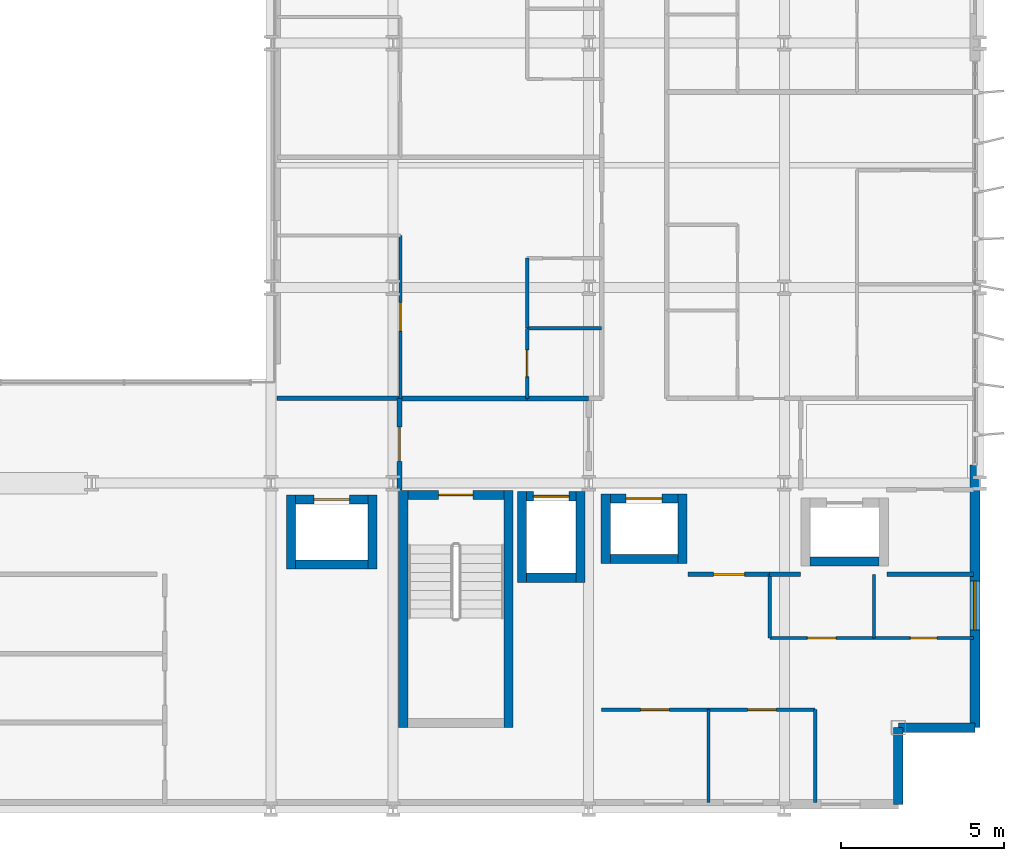
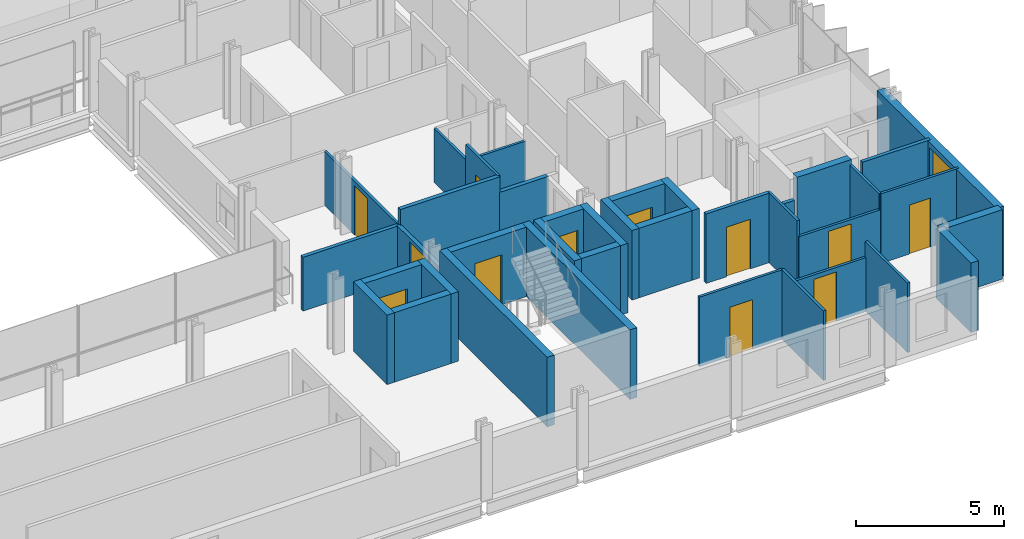
# One storey, part 30 of 38: 38 walls, 12 doors, 1 window, 13 openings.
"""IFC4 building model written with IfcOpenShell, lengths in metres."""

from ifc_helpers import new_model, si_unit, direction, frame, frame_2d, origin, place, context, subcontext, project, spatial, rectangle, extrude, material, layer, layer_set, type_object, element, fill, save


model = new_model("IFC4")

# Units and contexts
model_context = context("Model", 3, precision=1e-05, world=origin(), true_north=direction((0.0, 1.0)))
body_context = subcontext(model_context, "Body", "Model", "MODEL_VIEW")
ifc_project = project(units=[si_unit("LENGTHUNIT", "METRE"), si_unit("AREAUNIT", "SQUARE_METRE"), si_unit("VOLUMEUNIT", "CUBIC_METRE"), si_unit("PLANEANGLEUNIT", "RADIAN"), si_unit("MASSUNIT", "GRAM", prefix="KILO")], contexts=[model_context])

# Site, building, storey
site_placement = place(None, origin())
site = spatial("IfcSite", under=ifc_project, at=site_placement, CompositionType="ELEMENT")
building_placement = place(site_placement, origin())
building = spatial("IfcBuilding", under=site, at=building_placement, Name="Brevholm Reach", CompositionType="ELEMENT")
storey_placement = place(building_placement, frame((0.0, 0.0, 59.0)))
storey = spatial("IfcBuildingStorey", under=building, at=storey_placement, Name="L16", CompositionType="ELEMENT", Elevation=59.0)

# Walls
ifc_material_1 = material(Name="Concrete C50/60", Category="concrete")
ifc_layer_1 = layer(ifc_material_1, 0.280029296875)
ifc_layer_set_1 = layer_set([ifc_layer_1], Name="Concrete C50/60")
wall_type_1 = type_object("IfcWallType", Name="WAL-COR-280", PredefinedType="SHEAR", material=ifc_layer_set_1)
for number, where, z_axis, x_axis, name in (
    (1, (42.31005859375, 2.5, 0.0), (0.0, 0.0, 1.0), (0.0, 1.0, 0.0), "L16 Escape Stair ST-2 Core Wall W"),
    (2, (45.5400390625, 2.5, 0.0), (0.0, 0.0, 1.0), (0.0, 1.0, 0.0), "L16 Escape Stair ST-2 Core Wall E"),
):
    element("IfcWall", number, at=place(storey_placement, frame(where, z_axis=z_axis, x_axis=x_axis)), inside=storey, type_object=wall_type_1, Name=name, PredefinedType="SHEAR", context=body_context, shape_type="SweptSolid", body=[
        extrude(rectangle(XDim=7.280029296875, YDim=0.280029296875, at=frame_2d((3.64013671875, 0.0))), origin(), (0.0, 0.0, 1.0), 2.8701171875),
    ])

# Wall, opening, door
wall_1_placement = place(storey_placement, frame((45.39990234375, 9.639892578125, 0.0), z_axis=(0.0, 0.0, 1.0), x_axis=(-1.0, 0.0, 0.0)))
wall_1 = element("IfcWall", 3, at=wall_1_placement, inside=storey, type_object=wall_type_1, Name="L16 Escape Stair ST-2 Core Wall N", PredefinedType="SHEAR", context=body_context, shape_type="SweptSolid", body=[
    extrude(rectangle(XDim=2.949951171875, YDim=0.280029296875, at=frame_2d((1.47509765625, 0.0))), origin(), (0.0, 0.0, 1.0), 2.8701171875),
])
opening_1_placement = place(wall_1_placement, frame((0.949951171875, 0.0, 0.0)))
opening_1 = element("IfcOpeningElement", 4, at=opening_1_placement, cuts=wall_1, Name="Opening SD-ST-2", PredefinedType="OPENING", context=body_context, shape_type="SweptSolid", body=[
    extrude(rectangle(XDim=1.050048828125, YDim=2.06005859375, at=frame_2d((0.52490234375, 1.030029296875))), frame((0.0, 0.14990234375, 0.0), z_axis=(0.0, -1.0, 0.0), x_axis=(1.0, 0.0, 0.0)), (0.0, 0.0, 1.0), 0.300048828125),
])
ifc_material_2 = material(Name="Hardwood-Lipped Steel-Core Fire and Smoke Door", Category="steel")
door_type_1 = type_object("IfcDoorType", Name="DOR-INT-FD60S", OperationType="NOTDEFINED", PredefinedType="DOOR", material=ifc_material_2)
door_1_placement = place(opening_1_placement, origin())
door_1 = element("IfcDoor", 5, at=door_1_placement, inside=storey, type_object=door_type_1, Name="L16 Protected Stair ST-2 Lobby Door", OperationType="SINGLE_SWING_LEFT", OverallHeight=2.06005859375, OverallWidth=1.050048828125, PredefinedType="DOOR", context=body_context, shape_type="SweptSolid", body=[
    extrude(rectangle(XDim=1.050048828125, YDim=2.06005859375, at=frame_2d((0.52490234375, 1.030029296875))), frame((0.0, 0.02490234375, 0.0), z_axis=(0.0, -1.0, 0.0), x_axis=(1.0, 0.0, 0.0)), (0.0, 0.0, 1.0), 0.050048828125),
])
fill(opening_1, door_1)

# Walls
for number, where, z_axis, x_axis, name in (
    (6, (45.949951171875, 6.9599609375, 0.0), (0.0, 0.0, 1.0), (0.0, 1.0, 0.0), "L16 Lift FFL-2 Shaft Wall W"),
    (7, (47.75, 6.9599609375, 0.0), (0.0, 0.0, 1.0), (0.0, 1.0, 0.0), "L16 Lift FFL-2 Shaft Wall E"),
):
    element("IfcWall", number, at=place(storey_placement, frame(where, z_axis=z_axis, x_axis=x_axis)), inside=storey, type_object=wall_type_1, Name=name, PredefinedType="SHEAR", context=body_context, shape_type="SweptSolid", body=[
        extrude(rectangle(XDim=2.780029296875, YDim=0.280029296875, at=frame_2d((1.39013671875, 0.0))), origin(), (0.0, 0.0, 1.0), 2.8701171875),
    ])
wall_2_placement = place(storey_placement, frame((46.090087890625, 7.10009765625, 0.0), z_axis=(0.0, 0.0, 1.0), x_axis=(1.0, 0.0, 0.0)))
element("IfcWall", 8, at=wall_2_placement, inside=storey, type_object=wall_type_1, Name="L16 Lift FFL-2 Shaft Wall S", PredefinedType="SHEAR", context=body_context, shape_type="SweptSolid", body=[
    extrude(rectangle(XDim=1.52001953125, YDim=0.280029296875, at=frame_2d((0.760009765625, 0.0))), origin(), (0.0, 0.0, 1.0), 2.8701171875),
])

# Wall, opening, door
wall_3_placement = place(storey_placement, frame((46.090087890625, 9.60009765625, 0.0), z_axis=(0.0, 0.0, 1.0), x_axis=(1.0, 0.0, 0.0)))
wall_3 = element("IfcWall", 9, at=wall_3_placement, inside=storey, type_object=wall_type_1, Name="L16 Lift FFL-2 Shaft Wall N", PredefinedType="SHEAR", context=body_context, shape_type="SweptSolid", body=[
    extrude(rectangle(XDim=1.52001953125, YDim=0.280029296875, at=frame_2d((0.760009765625, 0.0))), origin(), (0.0, 0.0, 1.0), 2.8701171875),
])
opening_2_placement = place(wall_3_placement, frame((0.2099609375, 0.0, 0.0)))
opening_2 = element("IfcOpeningElement", 10, at=opening_2_placement, cuts=wall_3, Name="Opening LD-FFL-2", PredefinedType="OPENING", context=body_context, shape_type="SweptSolid", body=[
    extrude(rectangle(XDim=1.10009765625, YDim=2.06005859375, at=frame_2d((0.550048828125, 1.030029296875))), frame((0.0, 0.14990234375, 0.0), z_axis=(0.0, -1.0, 0.0), x_axis=(1.0, 0.0, 0.0)), (0.0, 0.0, 1.0), 0.300048828125),
])
ifc_material_3 = material(Name="Brushed Stainless Steel Fire-Rated Sliding Lift Door", Category="steel")
door_type_2 = type_object("IfcDoorType", Name="DOR-LFT-1100", OperationType="NOTDEFINED", PredefinedType="DOOR", material=ifc_material_3)
door_2_placement = place(opening_2_placement, origin())
door_2 = element("IfcDoor", 11, at=door_2_placement, inside=storey, type_object=door_type_2, Name="L16 Lift FFL-2 Sliding Landing Door", OperationType="SLIDING_TO_LEFT", OverallHeight=2.06005859375, OverallWidth=1.10009765625, PredefinedType="DOOR", context=body_context, shape_type="SweptSolid", body=[
    extrude(rectangle(XDim=1.10009765625, YDim=2.06005859375, at=frame_2d((0.550048828125, 1.030029296875))), frame((0.0, 0.02490234375, 0.0), z_axis=(0.0, -1.0, 0.0), x_axis=(1.0, 0.0, 0.0)), (0.0, 0.0, 1.0), 0.050048828125),
])
fill(opening_2, door_2)

# Walls
for number, where, z_axis, x_axis, name in (
    (12, (48.52490234375, 7.534912109375, 0.0), (0.0, 0.0, 1.0), (0.0, 1.0, 0.0), "L16 Lift PL-L1 Shaft Wall W"),
    (13, (50.875, 7.534912109375, 0.0), (0.0, 0.0, 1.0), (0.0, 1.0, 0.0), "L16 Lift PL-L1 Shaft Wall E"),
):
    element("IfcWall", number, at=place(storey_placement, frame(where, z_axis=z_axis, x_axis=x_axis)), inside=storey, type_object=wall_type_1, Name=name, PredefinedType="SHEAR", context=body_context, shape_type="SweptSolid", body=[
        extrude(rectangle(XDim=2.130126953125, YDim=0.280029296875, at=frame_2d((1.06494140625, 0.0))), origin(), (0.0, 0.0, 1.0), 2.8701171875),
    ])
wall_4_placement = place(storey_placement, frame((48.6650390625, 7.675048828125, 0.0), z_axis=(0.0, 0.0, 1.0), x_axis=(1.0, 0.0, 0.0)))
element("IfcWall", 14, at=wall_4_placement, inside=storey, type_object=wall_type_1, Name="L16 Lift PL-L1 Shaft Wall S", PredefinedType="SHEAR", context=body_context, shape_type="SweptSolid", body=[
    extrude(rectangle(XDim=2.070068359375, YDim=0.280029296875, at=frame_2d((1.03515625, 0.0))), origin(), (0.0, 0.0, 1.0), 2.8701171875),
])

# Wall, opening, door
wall_5_placement = place(storey_placement, frame((48.6650390625, 9.52490234375, 0.0), z_axis=(0.0, 0.0, 1.0), x_axis=(1.0, 0.0, 0.0)))
wall_5 = element("IfcWall", 15, at=wall_5_placement, inside=storey, type_object=wall_type_1, Name="L16 Lift PL-L1 Shaft Wall N", PredefinedType="SHEAR", context=body_context, shape_type="SweptSolid", body=[
    extrude(rectangle(XDim=2.070068359375, YDim=0.280029296875, at=frame_2d((1.03515625, 0.0))), origin(), (0.0, 0.0, 1.0), 2.8701171875),
])
opening_3_placement = place(wall_5_placement, frame((0.485107421875, 0.0, 0.0)))
opening_3 = element("IfcOpeningElement", 16, at=opening_3_placement, cuts=wall_5, Name="Opening LD-PL-L1", PredefinedType="OPENING", context=body_context, shape_type="SweptSolid", body=[
    extrude(rectangle(XDim=1.10009765625, YDim=2.06005859375, at=frame_2d((0.550048828125, 1.030029296875))), frame((0.0, 0.14990234375, 0.0), z_axis=(0.0, -1.0, 0.0), x_axis=(1.0, 0.0, 0.0)), (0.0, 0.0, 1.0), 0.300048828125),
])
door_3_placement = place(opening_3_placement, origin())
door_3 = element("IfcDoor", 17, at=door_3_placement, inside=storey, type_object=door_type_2, Name="L16 Lift PL-L1 Sliding Landing Door", OperationType="SLIDING_TO_RIGHT", OverallHeight=2.06005859375, OverallWidth=1.10009765625, PredefinedType="DOOR", context=body_context, shape_type="SweptSolid", body=[
    extrude(rectangle(XDim=1.10009765625, YDim=2.06005859375, at=frame_2d((0.550048828125, 1.030029296875))), frame((0.0, 0.02490234375, 0.0), z_axis=(0.0, -1.0, 0.0), x_axis=(1.0, 0.0, 0.0)), (0.0, 0.0, 1.0), 0.050048828125),
])
fill(opening_3, door_3)

# Walls
wall_6_placement = place(storey_placement, frame((54.7900390625, 7.60009765625, 0.0), z_axis=(0.0, 0.0, 1.0), x_axis=(1.0, 0.0, 0.0)))
element("IfcWall", 18, at=wall_6_placement, inside=storey, type_object=wall_type_1, Name="L16 Lift PL-L2 Shaft Wall S", PredefinedType="SHEAR", context=body_context, shape_type="SweptSolid", body=[
    extrude(rectangle(XDim=2.119873046875, YDim=0.280029296875, at=frame_2d((1.06005859375, 0.0))), origin(), (0.0, 0.0, 1.0), 2.8701171875),
])
for number, where, z_axis, x_axis, name in (
    (19, (38.8701171875, 7.360107421875, 0.0), (0.0, 0.0, 1.0), (0.0, 1.0, 0.0), "L16 Lift PL-S1 Shaft Wall W"),
    (20, (41.3701171875, 7.360107421875, 0.0), (0.0, 0.0, 1.0), (0.0, 1.0, 0.0), "L16 Lift PL-S1 Shaft Wall E"),
):
    element("IfcWall", number, at=place(storey_placement, frame(where, z_axis=z_axis, x_axis=x_axis)), inside=storey, type_object=wall_type_1, Name=name, PredefinedType="SHEAR", context=body_context, shape_type="SweptSolid", body=[
        extrude(rectangle(XDim=2.27978515625, YDim=0.280029296875, at=frame_2d((1.139892578125, 0.0))), origin(), (0.0, 0.0, 1.0), 2.8701171875),
    ])
wall_7_placement = place(storey_placement, frame((39.010009765625, 7.5, 0.0), z_axis=(0.0, 0.0, 1.0), x_axis=(1.0, 0.0, 0.0)))
element("IfcWall", 21, at=wall_7_placement, inside=storey, type_object=wall_type_1, Name="L16 Lift PL-S1 Shaft Wall S", PredefinedType="SHEAR", context=body_context, shape_type="SweptSolid", body=[
    extrude(rectangle(XDim=2.219970703125, YDim=0.280029296875, at=frame_2d((1.10986328125, 0.0))), origin(), (0.0, 0.0, 1.0), 2.8701171875),
])

# Wall, opening, door
wall_8_placement = place(storey_placement, frame((39.010009765625, 9.5, 0.0), z_axis=(0.0, 0.0, 1.0), x_axis=(1.0, 0.0, 0.0)))
wall_8 = element("IfcWall", 22, at=wall_8_placement, inside=storey, type_object=wall_type_1, Name="L16 Lift PL-S1 Shaft Wall N", PredefinedType="SHEAR", context=body_context, shape_type="SweptSolid", body=[
    extrude(rectangle(XDim=2.219970703125, YDim=0.280029296875, at=frame_2d((1.10986328125, 0.0))), origin(), (0.0, 0.0, 1.0), 2.8701171875),
])
opening_4_placement = place(wall_8_placement, frame((0.56005859375, 0.0, 0.0)))
opening_4 = element("IfcOpeningElement", 23, at=opening_4_placement, cuts=wall_8, Name="Opening LD-PL-S1", PredefinedType="OPENING", context=body_context, shape_type="SweptSolid", body=[
    extrude(rectangle(XDim=1.10009765625, YDim=2.06005859375, at=frame_2d((0.550048828125, 1.030029296875))), frame((0.0, 0.14990234375, 0.0), z_axis=(0.0, -1.0, 0.0), x_axis=(1.0, 0.0, 0.0)), (0.0, 0.0, 1.0), 0.300048828125),
])
door_4_placement = place(opening_4_placement, origin())
door_4 = element("IfcDoor", 24, at=door_4_placement, inside=storey, type_object=door_type_2, Name="L16 Lift PL-S1 Sliding Landing Door", OperationType="SLIDING_TO_RIGHT", OverallHeight=2.06005859375, OverallWidth=1.10009765625, PredefinedType="DOOR", context=body_context, shape_type="SweptSolid", body=[
    extrude(rectangle(XDim=1.10009765625, YDim=2.06005859375, at=frame_2d((0.550048828125, 1.030029296875))), frame((0.0, 0.02490234375, 0.0), z_axis=(0.0, -1.0, 0.0), x_axis=(1.0, 0.0, 0.0)), (0.0, 0.0, 1.0), 0.050048828125),
])
fill(opening_4, door_4)

# Walls
ifc_material_4 = material(Name="Concrete C40/50", Category="concrete")
ifc_layer_2 = layer(ifc_material_4, 0.300048828125)
ifc_layer_set_2 = layer_set([ifc_layer_2], Name="Concrete C40/50")
wall_type_2 = type_object("IfcWallType", Name="WAL-EXT-300", PredefinedType="STANDARD", material=ifc_layer_set_2)
for number, where, z_axis, x_axis, name in (
    (25, (57.5, 0.14990234375, 0.0), (0.0, 0.0, 1.0), (0.0, 1.0, 0.0), "L16 Facade Wall WAL-L16-CSE1"),
    (26, (57.5, 2.5, 0.0), (0.0, 0.0, 1.0), (1.0, 0.0, 0.0), "L16 Facade Wall WAL-L16-CSE2"),
):
    element("IfcWall", number, at=place(storey_placement, frame(where, z_axis=z_axis, x_axis=x_axis)), inside=storey, type_object=wall_type_2, Name=name, PredefinedType="STANDARD", context=body_context, shape_type="SweptSolid", body=[
        extrude(rectangle(XDim=2.35009765625, YDim=0.300048828125, at=frame_2d((1.175048828125, 0.0))), origin(), (0.0, 0.0, 1.0), 2.8701171875),
    ])

# Wall, opening, window
wall_9_placement = place(storey_placement, frame((59.85009765625, 2.5, 0.0), z_axis=(0.0, 0.0, 1.0), x_axis=(0.0, 1.0, 0.0)))
wall_9 = element("IfcWall", 27, at=wall_9_placement, inside=storey, type_object=wall_type_2, Name="L16 Facade Wall WAL-L16-E-S", PredefinedType="STANDARD", context=body_context, shape_type="SweptSolid", body=[
    extrude(rectangle(XDim=8.050048828125, YDim=0.300048828125, at=frame_2d((4.02490234375, 0.0))), origin(), (0.0, 0.0, 1.0), 2.8701171875),
])
opening_5_placement = place(wall_9_placement, frame((3.0, 0.0, 0.85009765625)))
opening_5 = element("IfcOpeningElement", 28, at=opening_5_placement, cuts=wall_9, Name="Opening WN-05", PredefinedType="OPENING", context=body_context, shape_type="SweptSolid", body=[
    extrude(rectangle(XDim=1.5, YDim=1.800048828125, at=frame_2d((0.75, 0.89990234375))), frame((0.0, 0.159912109375, 0.0), z_axis=(0.0, -1.0, 0.0), x_axis=(1.0, 0.0, 0.0)), (0.0, 0.0, 1.0), 0.320068359375),
])
ifc_material_5 = material(Name="Dark Anodised Aluminium and Solar-Control IGU Glass", Category="aluminium")
window_type = type_object("IfcWindowType", Name="WIN-RES-1500", PartitioningType="SINGLE_PANEL", PredefinedType="WINDOW", material=ifc_material_5)
window_placement = place(opening_5_placement, origin())
window = element("IfcWindow", 29, at=window_placement, inside=storey, type_object=window_type, Name="L16 Window WIN-L16-ES-1", OverallHeight=1.800048828125, OverallWidth=1.5, PartitioningType="SINGLE_PANEL", PredefinedType="WINDOW", context=body_context, shape_type="SweptSolid", body=[
    extrude(rectangle(XDim=1.5, YDim=1.800048828125, at=frame_2d((0.75, 0.89990234375))), frame((0.0, 0.030029296875, 0.0), z_axis=(0.0, -1.0, 0.0), x_axis=(1.0, 0.0, 0.0)), (0.0, 0.0, 1.0), 0.06005859375),
])
fill(opening_5, window)

# Wall
ifc_material_6 = material(Name="Moisture-Resistant Acoustic Gypsum Stud Partition 100 mm", Category="gypsum")
ifc_layer_3 = layer(ifc_material_6, 0.10009765625)
ifc_layer_set_3 = layer_set([ifc_layer_3], Name="Moisture-Resistant Acoustic Gypsum Stud Partition 100 mm")
wall_type_3 = type_object("IfcWallType", Name="WAL-PRT-100", PredefinedType="PARTITIONING", material=ifc_layer_set_3)
wall_10_placement = place(storey_placement, frame((56.75, 5.25, 0.0), z_axis=(0.0, 0.0, 1.0), x_axis=(0.0, 1.0, 0.0)))
element("IfcWall", 30, at=wall_10_placement, inside=storey, type_object=wall_type_3, Name="L16 Internal Partition 076", PredefinedType="PARTITIONING", context=body_context, shape_type="SweptSolid", body=[
    extrude(rectangle(XDim=1.949951171875, YDim=0.10009765625, at=frame_2d((0.97509765625, 0.0))), origin(), (0.0, 0.0, 1.0), 2.8701171875),
])

# Wall, opening, door
wall_11_placement = place(storey_placement, frame((56.75, 5.25, 0.0), z_axis=(0.0, 0.0, 1.0), x_axis=(1.0, 0.0, 0.0)))
wall_11 = element("IfcWall", 31, at=wall_11_placement, inside=storey, type_object=wall_type_3, Name="L16 Internal Partition 077", PredefinedType="PARTITIONING", context=body_context, shape_type="SweptSolid", body=[
    extrude(rectangle(XDim=3.050048828125, YDim=0.10009765625, at=frame_2d((1.52490234375, 0.0))), origin(), (0.0, 0.0, 1.0), 2.8701171875),
])
opening_6_placement = place(wall_11_placement, frame((1.114990234375, 0.0, 0.0)))
opening_6 = element("IfcOpeningElement", 32, at=opening_6_placement, cuts=wall_11, Name="Opening ID-03", PredefinedType="OPENING", context=body_context, shape_type="SweptSolid", body=[
    extrude(rectangle(XDim=0.820068359375, YDim=2.02001953125, at=frame_2d((0.41015625, 1.010009765625))), frame((0.0, 0.06005859375, 0.0), z_axis=(0.0, -1.0, 0.0), x_axis=(1.0, 0.0, 0.0)), (0.0, 0.0, 1.0), 0.1201171875),
])
ifc_material_7 = material(Name="Moisture-Resistant Painted Timber Internal Bathroom Door", Category="wood")
door_type_3 = type_object("IfcDoorType", Name="DOR-BATH-820", OperationType="NOTDEFINED", PredefinedType="DOOR", material=ifc_material_7)
door_5_placement = place(opening_6_placement, origin())
door_5 = element("IfcDoor", 33, at=door_5_placement, inside=storey, type_object=door_type_3, Name="L16 Internal Door 026", OperationType="SINGLE_SWING_RIGHT", OverallHeight=2.02001953125, OverallWidth=0.820068359375, PredefinedType="DOOR", context=body_context, shape_type="SweptSolid", body=[
    extrude(rectangle(XDim=0.820068359375, YDim=2.02001953125, at=frame_2d((0.41015625, 1.010009765625))), frame((0.0, 0.02490234375, 0.0), z_axis=(0.0, -1.0, 0.0), x_axis=(1.0, 0.0, 0.0)), (0.0, 0.0, 1.0), 0.050048828125),
])
fill(opening_6, door_5)

wall_12_placement = place(storey_placement, frame((53.55810546875, 5.25, 0.0), z_axis=(0.0, 0.0, 1.0), x_axis=(1.0, 0.0, 0.0)))
wall_12 = element("IfcWall", 34, at=wall_12_placement, inside=storey, type_object=wall_type_3, Name="L16 Internal Partition 078", PredefinedType="PARTITIONING", context=body_context, shape_type="SweptSolid", body=[
    extrude(rectangle(XDim=3.18798828125, YDim=0.10009765625, at=frame_2d((1.593994140625, 0.0))), origin(), (0.0, 0.0, 1.0), 2.224853515625),
])
opening_7_placement = place(wall_12_placement, frame((1.154052734375, 0.0, 0.0)))
opening_7 = element("IfcOpeningElement", 35, at=opening_7_placement, cuts=wall_12, Name="Opening ID-01", PredefinedType="OPENING", context=body_context, shape_type="SweptSolid", body=[
    extrude(rectangle(XDim=0.8798828125, YDim=2.0400390625, at=frame_2d((0.43994140625, 1.02001953125))), frame((0.0, 0.06005859375, 0.0), z_axis=(0.0, -1.0, 0.0), x_axis=(1.0, 0.0, 0.0)), (0.0, 0.0, 1.0), 0.1201171875),
])
ifc_material_8 = material(Name="Lacquered Ash Solid-Core Acoustic Internal Door", Category="timber")
door_type_4 = type_object("IfcDoorType", Name="DOR-INT-880", OperationType="NOTDEFINED", PredefinedType="DOOR", material=ifc_material_8)
door_6_placement = place(opening_7_placement, origin())
door_6 = element("IfcDoor", 36, at=door_6_placement, inside=storey, type_object=door_type_4, Name="L16 Internal Door 027", OperationType="SINGLE_SWING_LEFT", OverallHeight=2.0400390625, OverallWidth=0.8798828125, PredefinedType="DOOR", context=body_context, shape_type="SweptSolid", body=[
    extrude(rectangle(XDim=0.8798828125, YDim=2.0400390625, at=frame_2d((0.43994140625, 1.02001953125))), frame((0.0, 0.02490234375, 0.0), z_axis=(0.0, -1.0, 0.0), x_axis=(1.0, 0.0, 0.0)), (0.0, 0.0, 1.0), 0.050048828125),
])
fill(opening_7, door_6)

# Walls
wall_13_placement = place(storey_placement, frame((53.55810546875, 5.25, 0.0), z_axis=(0.0, 0.0, 1.0), x_axis=(0.0, 1.0, 0.0)))
element("IfcWall", 37, at=wall_13_placement, inside=storey, type_object=wall_type_3, Name="L16 Internal Partition 079", PredefinedType="PARTITIONING", context=body_context, shape_type="SweptSolid", body=[
    extrude(rectangle(XDim=1.946044921875, YDim=0.10009765625, at=frame_2d((0.97314453125, 0.0))), origin(), (0.0, 0.0, 1.0), 2.8701171875),
])
wall_14_placement = place(storey_placement, frame((51.675048828125, 0.199951171875, 0.0), z_axis=(0.0, 0.0, 1.0), x_axis=(0.0, 1.0, 0.0)))
element("IfcWall", 38, at=wall_14_placement, inside=storey, type_object=wall_type_3, Name="L16 Internal Partition 080", PredefinedType="PARTITIONING", context=body_context, shape_type="SweptSolid", body=[
    extrude(rectangle(XDim=2.85009765625, YDim=0.10009765625, at=frame_2d((1.425048828125, 0.0))), origin(), (0.0, 0.0, 1.0), 2.8701171875),
])

# Wall, opening, door
wall_15_placement = place(storey_placement, frame((48.39990234375, 3.050048828125, 0.0), z_axis=(0.0, 0.0, 1.0), x_axis=(1.0, 0.0, 0.0)))
wall_15 = element("IfcWall", 39, at=wall_15_placement, inside=storey, type_object=wall_type_3, Name="L16 Internal Partition 081", PredefinedType="PARTITIONING", context=body_context, shape_type="SweptSolid", body=[
    extrude(rectangle(XDim=3.275146484375, YDim=0.10009765625, at=frame_2d((1.6376953125, 0.0))), origin(), (0.0, 0.0, 1.0), 2.8701171875),
])
opening_8_placement = place(wall_15_placement, frame((1.197509765625, 0.0, 0.0)))
opening_8 = element("IfcOpeningElement", 40, at=opening_8_placement, cuts=wall_15, Name="Opening ID-01", PredefinedType="OPENING", context=body_context, shape_type="SweptSolid", body=[
    extrude(rectangle(XDim=0.8798828125, YDim=2.0400390625, at=frame_2d((0.43994140625, 1.02001953125))), frame((0.0, 0.06005859375, 0.0), z_axis=(0.0, -1.0, 0.0), x_axis=(1.0, 0.0, 0.0)), (0.0, 0.0, 1.0), 0.1201171875),
])
door_7_placement = place(opening_8_placement, origin())
door_7 = element("IfcDoor", 41, at=door_7_placement, inside=storey, type_object=door_type_4, Name="L16 Internal Door 028", OperationType="SINGLE_SWING_RIGHT", OverallHeight=2.0400390625, OverallWidth=0.8798828125, PredefinedType="DOOR", context=body_context, shape_type="SweptSolid", body=[
    extrude(rectangle(XDim=0.8798828125, YDim=2.0400390625, at=frame_2d((0.43994140625, 1.02001953125))), frame((0.0, 0.02490234375, 0.0), z_axis=(0.0, -1.0, 0.0), x_axis=(1.0, 0.0, 0.0)), (0.0, 0.0, 1.0), 0.050048828125),
])
fill(opening_8, door_7)

# Wall
wall_16_placement = place(storey_placement, frame((54.949951171875, 0.199951171875, 0.0), z_axis=(0.0, 0.0, 1.0), x_axis=(0.0, 1.0, 0.0)))
element("IfcWall", 42, at=wall_16_placement, inside=storey, type_object=wall_type_3, Name="L16 Internal Partition 082", PredefinedType="PARTITIONING", context=body_context, shape_type="SweptSolid", body=[
    extrude(rectangle(XDim=2.85009765625, YDim=0.10009765625, at=frame_2d((1.425048828125, 0.0))), origin(), (0.0, 0.0, 1.0), 2.8701171875),
])

# Wall, opening, door
wall_17_placement = place(storey_placement, frame((51.678955078125, 3.050048828125, 0.0), z_axis=(0.0, 0.0, 1.0), x_axis=(1.0, 0.0, 0.0)))
wall_17 = element("IfcWall", 43, at=wall_17_placement, inside=storey, type_object=wall_type_3, Name="L16 Internal Partition 083", PredefinedType="PARTITIONING", context=body_context, shape_type="SweptSolid", body=[
    extrude(rectangle(XDim=3.27099609375, YDim=0.10009765625, at=frame_2d((1.635498046875, 0.0))), origin(), (0.0, 0.0, 1.0), 2.224853515625),
])
opening_9_placement = place(wall_17_placement, frame((1.195556640625, 0.0, 0.0)))
opening_9 = element("IfcOpeningElement", 44, at=opening_9_placement, cuts=wall_17, Name="Opening ID-01", PredefinedType="OPENING", context=body_context, shape_type="SweptSolid", body=[
    extrude(rectangle(XDim=0.8798828125, YDim=2.0400390625, at=frame_2d((0.43994140625, 1.02001953125))), frame((0.0, 0.06005859375, 0.0), z_axis=(0.0, -1.0, 0.0), x_axis=(1.0, 0.0, 0.0)), (0.0, 0.0, 1.0), 0.1201171875),
])
door_8_placement = place(opening_9_placement, origin())
door_8 = element("IfcDoor", 45, at=door_8_placement, inside=storey, type_object=door_type_4, Name="L16 Internal Door 029", OperationType="SINGLE_SWING_LEFT", OverallHeight=2.0400390625, OverallWidth=0.8798828125, PredefinedType="DOOR", context=body_context, shape_type="SweptSolid", body=[
    extrude(rectangle(XDim=0.8798828125, YDim=2.0400390625, at=frame_2d((0.43994140625, 1.02001953125))), frame((0.0, 0.02490234375, 0.0), z_axis=(0.0, -1.0, 0.0), x_axis=(1.0, 0.0, 0.0)), (0.0, 0.0, 1.0), 0.050048828125),
])
fill(opening_9, door_8)

# Wall
wall_18_placement = place(storey_placement, frame((46.112060546875, 14.75, 0.0), z_axis=(0.0, 0.0, 1.0), x_axis=(1.0, 0.0, 0.0)))
element("IfcWall", 46, at=wall_18_placement, inside=storey, type_object=wall_type_3, Name="L16 Internal Partition 117", PredefinedType="PARTITIONING", context=body_context, shape_type="SweptSolid", body=[
    extrude(rectangle(XDim=2.283935546875, YDim=0.10009765625, at=frame_2d((1.14208984375, 0.0))), origin(), (0.0, 0.0, 1.0), 2.224853515625),
])

# Wall, opening, door
wall_19_placement = place(storey_placement, frame((46.112060546875, 12.60400390625, 0.0), z_axis=(0.0, 0.0, 1.0), x_axis=(0.0, 1.0, 0.0)))
wall_19 = element("IfcWall", 47, at=wall_19_placement, inside=storey, type_object=wall_type_3, Name="L16 Internal Partition 118", PredefinedType="PARTITIONING", context=body_context, shape_type="SweptSolid", body=[
    extrude(rectangle(XDim=2.14599609375, YDim=0.10009765625, at=frame_2d((1.072998046875, 0.0))), origin(), (0.0, 0.0, 1.0), 2.8701171875),
])
opening_10_placement = place(wall_19_placement, frame((0.6630859375, 0.0, 0.0)))
opening_10 = element("IfcOpeningElement", 48, at=opening_10_placement, cuts=wall_19, Name="Opening ID-03", PredefinedType="OPENING", context=body_context, shape_type="SweptSolid", body=[
    extrude(rectangle(XDim=0.820068359375, YDim=2.02001953125, at=frame_2d((0.41015625, 1.010009765625))), frame((0.0, 0.06005859375, 0.0), z_axis=(0.0, -1.0, 0.0), x_axis=(1.0, 0.0, 0.0)), (0.0, 0.0, 1.0), 0.1201171875),
])
door_9_placement = place(opening_10_placement, origin())
door_9 = element("IfcDoor", 49, at=door_9_placement, inside=storey, type_object=door_type_3, Name="L16 Internal Door 045", OperationType="SINGLE_SWING_LEFT", OverallHeight=2.02001953125, OverallWidth=0.820068359375, PredefinedType="DOOR", context=body_context, shape_type="SweptSolid", body=[
    extrude(rectangle(XDim=0.820068359375, YDim=2.02001953125, at=frame_2d((0.41015625, 1.010009765625))), frame((0.0, 0.02490234375, 0.0), z_axis=(0.0, -1.0, 0.0), x_axis=(1.0, 0.0, 0.0)), (0.0, 0.0, 1.0), 0.050048828125),
])
fill(opening_10, door_9)

# Wall
wall_20_placement = place(storey_placement, frame((46.112060546875, 14.75390625, 0.0), z_axis=(0.0, 0.0, 1.0), x_axis=(0.0, 1.0, 0.0)))
element("IfcWall", 50, at=wall_20_placement, inside=storey, type_object=wall_type_3, Name="L16 Internal Partition 120", PredefinedType="PARTITIONING", context=body_context, shape_type="SweptSolid", body=[
    extrude(rectangle(XDim=2.14599609375, YDim=0.10009765625, at=frame_2d((1.072998046875, 0.0))), origin(), (0.0, 0.0, 1.0), 2.224853515625),
])

# Wall, opening, door
wall_21_placement = place(storey_placement, frame((42.23095703125, 12.60400390625, 0.0), z_axis=(0.0, 0.0, 1.0), x_axis=(0.0, 1.0, 0.0)))
wall_21 = element("IfcWall", 51, at=wall_21_placement, inside=storey, type_object=wall_type_3, Name="L16 Internal Partition 121", PredefinedType="PARTITIONING", context=body_context, shape_type="SweptSolid", body=[
    extrude(rectangle(XDim=4.99609375, YDim=0.10009765625, at=frame_2d((2.498046875, 0.0))), origin(), (0.0, 0.0, 1.0), 2.224853515625),
])
opening_11_placement = place(wall_21_placement, frame((2.05810546875, 0.0, 0.0)))
opening_11 = element("IfcOpeningElement", 52, at=opening_11_placement, cuts=wall_21, Name="Opening ID-01", PredefinedType="OPENING", context=body_context, shape_type="SweptSolid", body=[
    extrude(rectangle(XDim=0.8798828125, YDim=2.0400390625, at=frame_2d((0.43994140625, 1.02001953125))), frame((0.0, 0.06005859375, 0.0), z_axis=(0.0, -1.0, 0.0), x_axis=(1.0, 0.0, 0.0)), (0.0, 0.0, 1.0), 0.1201171875),
])
door_10_placement = place(opening_11_placement, origin())
door_10 = element("IfcDoor", 53, at=door_10_placement, inside=storey, type_object=door_type_4, Name="L16 Internal Door 047", OperationType="SINGLE_SWING_LEFT", OverallHeight=2.0400390625, OverallWidth=0.8798828125, PredefinedType="DOOR", context=body_context, shape_type="SweptSolid", body=[
    extrude(rectangle(XDim=0.8798828125, YDim=2.0400390625, at=frame_2d((0.43994140625, 1.02001953125))), frame((0.0, 0.02490234375, 0.0), z_axis=(0.0, -1.0, 0.0), x_axis=(1.0, 0.0, 0.0)), (0.0, 0.0, 1.0), 0.050048828125),
])
fill(opening_11, door_10)

# Wall
ifc_material_9 = material(Name="Twin-Stud Acoustic Fire-Rated Gypsum Partition 140 mm", Category="gypsum")
ifc_layer_4 = layer(ifc_material_9, 0.139892578125)
ifc_layer_set_4 = layer_set([ifc_layer_4], Name="Twin-Stud Acoustic Fire-Rated Gypsum Partition 140 mm")
wall_type_4 = type_object("IfcWallType", Name="WAL-PRT-140", PredefinedType="PARTITIONING", material=ifc_layer_set_4)
wall_22_placement = place(storey_placement, frame((53.546630859375, 7.199951171875, 0.0), z_axis=(0.0, 0.0, 1.0), x_axis=(1.0, 0.0, 0.0)))
element("IfcWall", 54, at=wall_22_placement, inside=storey, type_object=wall_type_4, Name="L16 Internal Partition 009", PredefinedType="PARTITIONING", context=body_context, shape_type="SweptSolid", body=[
    extrude(rectangle(XDim=0.953369140625, YDim=0.139892578125, at=frame_2d((0.4765625, 0.0))), origin(), (0.0, 0.0, 1.0), 2.224853515625),
])

# Wall, opening, door
wall_23_placement = place(storey_placement, frame((51.050048828125, 7.199951171875, 0.0), z_axis=(0.0, 0.0, 1.0), x_axis=(1.0, 0.0, 0.0)))
wall_23 = element("IfcWall", 55, at=wall_23_placement, inside=storey, type_object=wall_type_4, Name="L16 Internal Partition 010", PredefinedType="PARTITIONING", context=body_context, shape_type="SweptSolid", body=[
    extrude(rectangle(XDim=2.51513671875, YDim=0.139892578125, at=frame_2d((1.257568359375, 0.0))), origin(), (0.0, 0.0, 1.0), 2.8701171875),
])
opening_12_placement = place(wall_23_placement, frame((0.78271484375, 0.0, 0.0)))
opening_12 = element("IfcOpeningElement", 56, at=opening_12_placement, cuts=wall_23, Name="Opening ID-30", PredefinedType="OPENING", context=body_context, shape_type="SweptSolid", body=[
    extrude(rectangle(XDim=0.949951171875, YDim=2.050048828125, at=frame_2d((0.47509765625, 1.02490234375))), frame((0.0, 0.079833984375, 0.0), z_axis=(0.0, -1.0, 0.0), x_axis=(1.0, 0.0, 0.0)), (0.0, 0.0, 1.0), 0.159912109375),
])
ifc_material_10 = material(Name="European Oak Veneered Solid-Core Fire Entrance Door", Category="timber")
door_type_5 = type_object("IfcDoorType", Name="DOR-FLT-FD30S", OperationType="NOTDEFINED", PredefinedType="DOOR", material=ifc_material_10)
door_11_placement = place(opening_12_placement, origin())
door_11 = element("IfcDoor", 57, at=door_11_placement, inside=storey, type_object=door_type_5, Name="L16 Internal Door 007", OperationType="SINGLE_SWING_LEFT", OverallHeight=2.050048828125, OverallWidth=0.949951171875, PredefinedType="DOOR", context=body_context, shape_type="SweptSolid", body=[
    extrude(rectangle(XDim=0.949951171875, YDim=2.050048828125, at=frame_2d((0.47509765625, 1.02490234375))), frame((0.0, 0.02490234375, 0.0), z_axis=(0.0, -1.0, 0.0), x_axis=(1.0, 0.0, 0.0)), (0.0, 0.0, 1.0), 0.050048828125),
])
fill(opening_12, door_11)

# Walls
wall_24_placement = place(storey_placement, frame((38.438720703125, 12.60009765625, 0.0), z_axis=(0.0, 0.0, 1.0), x_axis=(1.0, 0.0, 0.0)))
element("IfcWall", 58, at=wall_24_placement, inside=storey, type_object=wall_type_4, Name="L16 Internal Partition 029", PredefinedType="PARTITIONING", context=body_context, shape_type="SweptSolid", body=[
    extrude(rectangle(XDim=3.75732421875, YDim=0.139892578125, at=frame_2d((1.878662109375, 0.0))), origin(), (0.0, 0.0, 1.0), 2.224853515625),
])
wall_25_placement = place(storey_placement, frame((57.14990234375, 7.199951171875, 0.0), z_axis=(0.0, 0.0, 1.0), x_axis=(1.0, 0.0, 0.0)))
element("IfcWall", 59, at=wall_25_placement, inside=storey, type_object=wall_type_4, Name="L16 Internal Partition 075", PredefinedType="PARTITIONING", context=body_context, shape_type="SweptSolid", body=[
    extrude(rectangle(XDim=2.650146484375, YDim=0.139892578125, at=frame_2d((1.3251953125, 0.0))), origin(), (0.0, 0.0, 1.0), 2.8701171875),
])

# Wall, opening, door
ifc_material_11 = material(Name="Twin-Frame Fire-Rated Gypsum Board and Mineral Wool 160 mm", Category="gypsum")
ifc_layer_5 = layer(ifc_material_11, 0.159912109375)
ifc_layer_set_5 = layer_set([ifc_layer_5], Name="Twin-Frame Fire-Rated Gypsum Board and Mineral Wool 160 mm")
wall_type_5 = type_object("IfcWallType", Name="WAL-PRT-160", PredefinedType="PARTITIONING", material=ifc_layer_set_5)
wall_26_placement = place(storey_placement, frame((42.199951171875, 9.7900390625, 0.0), z_axis=(0.0, 0.0, 1.0), x_axis=(0.0, 1.0, 0.0)))
wall_26 = element("IfcWall", 60, at=wall_26_placement, inside=storey, type_object=wall_type_5, Name="L16 Internal Partition 019", PredefinedType="PARTITIONING", context=body_context, shape_type="SweptSolid", body=[
    extrude(rectangle(XDim=2.81005859375, YDim=0.159912109375, at=frame_2d((1.405029296875, 0.0))), origin(), (0.0, 0.0, 1.0), 2.224853515625),
])
opening_13_placement = place(wall_26_placement, frame((0.8798828125, 0.0, 0.0)))
opening_13 = element("IfcOpeningElement", 61, at=opening_13_placement, cuts=wall_26, Name="Opening FD-01", PredefinedType="OPENING", context=body_context, shape_type="SweptSolid", body=[
    extrude(rectangle(XDim=1.050048828125, YDim=2.06005859375, at=frame_2d((0.52490234375, 1.030029296875))), frame((0.0, 0.08984375, 0.0), z_axis=(0.0, -1.0, 0.0), x_axis=(1.0, 0.0, 0.0)), (0.0, 0.0, 1.0), 0.179931640625),
])
door_12_placement = place(opening_13_placement, origin())
door_12 = element("IfcDoor", 62, at=door_12_placement, inside=storey, type_object=door_type_1, Name="L16 Internal Door 011", OperationType="SINGLE_SWING_LEFT", OverallHeight=2.06005859375, OverallWidth=1.050048828125, PredefinedType="DOOR", context=body_context, shape_type="SweptSolid", body=[
    extrude(rectangle(XDim=1.050048828125, YDim=2.06005859375, at=frame_2d((0.52490234375, 1.030029296875))), frame((0.0, 0.02490234375, 0.0), z_axis=(0.0, -1.0, 0.0), x_axis=(1.0, 0.0, 0.0)), (0.0, 0.0, 1.0), 0.050048828125),
])
fill(opening_13, door_12)

# Walls
wall_27_placement = place(storey_placement, frame((46.1005859375, 12.60009765625, 0.0), z_axis=(0.0, 0.0, 1.0), x_axis=(1.0, 0.0, 0.0)))
element("IfcWall", 63, at=wall_27_placement, inside=storey, type_object=wall_type_5, Name="L16 Internal Partition 021", PredefinedType="PARTITIONING", context=body_context, shape_type="SweptSolid", body=[
    extrude(rectangle(XDim=1.8994140625, YDim=0.159912109375, at=frame_2d((0.94970703125, 0.0))), origin(), (0.0, 0.0, 1.0), 2.224853515625),
])
wall_28_placement = place(storey_placement, frame((42.2236328125, 12.60009765625, 0.0), z_axis=(0.0, 0.0, 1.0), x_axis=(1.0, 0.0, 0.0)))
element("IfcWall", 64, at=wall_28_placement, inside=storey, type_object=wall_type_5, Name="L16 Internal Partition 022", PredefinedType="PARTITIONING", context=body_context, shape_type="SweptSolid", body=[
    extrude(rectangle(XDim=3.895751953125, YDim=0.159912109375, at=frame_2d((1.94775390625, 0.0))), origin(), (0.0, 0.0, 1.0), 2.8701171875),
])

save(model, "model.ifc")
